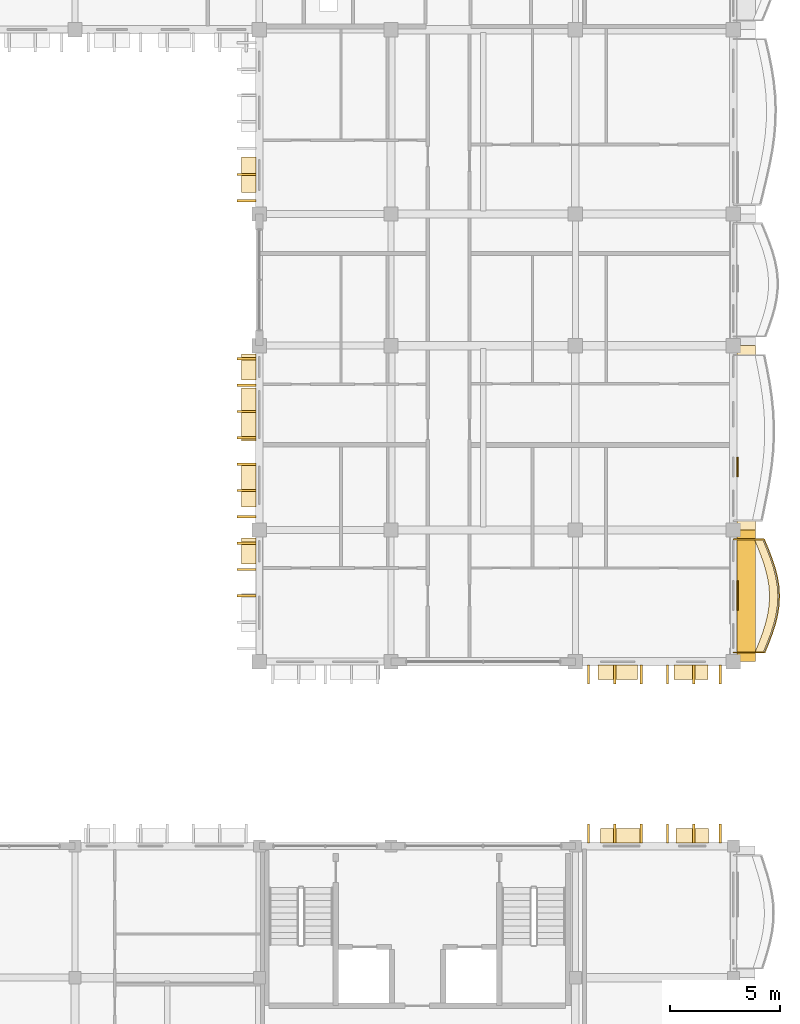
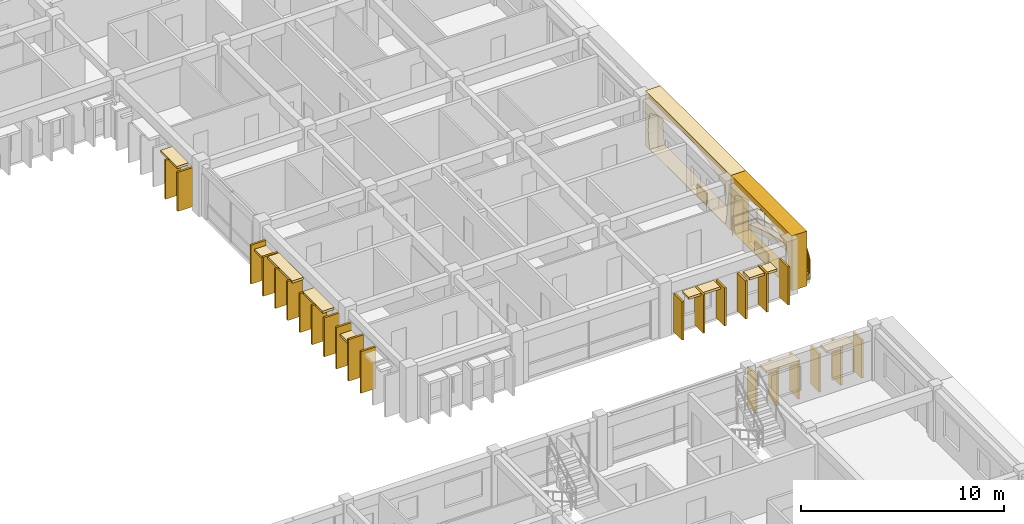
# One storey, part 74 of 79: 38 coverings, 1 railing.
"""IFC4 building model written with IfcOpenShell, lengths in metres."""

from ifc_helpers import new_model, si_unit, direction, frame, origin, origin_2d, place, context, subcontext, project, spatial, polyline, rectangle, outline, extrude, material, layer, layer_set, type_object, element, save


model = new_model("IFC4")

# Units and contexts
model_context = context("Model", 3, precision=1e-05, world=origin(), true_north=direction((0.0, 1.0)))
body_context = subcontext(model_context, "Body", "Model", "MODEL_VIEW")
ifc_project = project(units=[si_unit("LENGTHUNIT", "METRE"), si_unit("AREAUNIT", "SQUARE_METRE"), si_unit("VOLUMEUNIT", "CUBIC_METRE"), si_unit("PLANEANGLEUNIT", "RADIAN"), si_unit("MASSUNIT", "GRAM", prefix="KILO"), si_unit("THERMODYNAMICTEMPERATUREUNIT", "KELVIN")], contexts=[model_context])

# Site, building, storey
site_placement = place(None, origin())
site = spatial("IfcSite", under=ifc_project, at=site_placement, CompositionType="ELEMENT")
building_placement = place(site_placement, origin())
building = spatial("IfcBuilding", under=site, at=building_placement, Name="Thalorik Housing Commons", CompositionType="ELEMENT")
storey_placement = place(building_placement, frame((0.0, 0.0, 11.39990234375)))
storey = spatial("IfcBuildingStorey", under=building, at=storey_placement, Name="L03", CompositionType="ELEMENT", Elevation=11.39990234375)

# Coverings
ifc_material_1 = material(Name="Cobalt blue glazed ceramic facade tile panel", Category="masonry")
ifc_layer_1 = layer(ifc_material_1, 0.06005859375, Name="Cobalt blue glazed ceramic facade tile panel", Category="masonry")
ifc_layer_set_1 = layer_set([ifc_layer_1], Name="Cobalt blue glazed ceramic facade tile panel")
covering_type_1 = type_object("IfcCoveringType", Name="ARC-CLD-BLU-60", PredefinedType="CLADDING", material=ifc_layer_set_1)
covering_1_placement = place(storey_placement, frame((174.195068359375, 83.421875, 0.05029296875), z_axis=(0.0, 0.0, 1.0), x_axis=(0.0, 1.0, 0.0)))
element("IfcCovering", 1, at=covering_1_placement, inside=storey, type_object=covering_type_1, Name="L03 De Stijl Recessed Window Spandrel 2001", PredefinedType="CLADDING", context=body_context, shape_type="SweptSolid", body=[
    extrude(rectangle(XDim=1.35009765625, YDim=0.06005859375, at=origin_2d()), origin(), (0.0, 0.0, 1.0), 0.699951171875),
])
ifc_material_2 = material(Name="Precast concrete C40/50", Category="concrete")
ifc_layer_2 = layer(ifc_material_2, 0.85009765625, Name="Precast concrete C40/50", Category="concrete")
ifc_layer_set_2 = layer_set([ifc_layer_2], Name="Precast concrete C40/50")
covering_type_2 = type_object("IfcCoveringType", Name="ARC-CLD-CUSH-850", PredefinedType="CLADDING", material=ifc_layer_set_2)
covering_2_placement = place(storey_placement, frame((174.5849609375, 83.39990234375, 0.0), z_axis=(0.0, 0.0, 1.0), x_axis=(0.0, 1.0, 0.0)))
element("IfcCovering", 2, at=covering_2_placement, inside=storey, type_object=covering_type_2, Name="L03 White Precast Curved Cushion Bay Frame 2000", PredefinedType="CLADDING", context=body_context, shape_type="SweptSolid", body=[
    extrude(outline(polyline([(-3.0, 0.0), (3.0, 0.0), (3.0, 3.300048828125), (-3.0, 3.300048828125), (-3.0, 0.0)]), holes=[polyline([(2.56689453125, 0.02490234375), (2.658203125, 0.415771484375), (2.713134765625, 0.806640625), (2.7314453125, 1.197509765625), (2.713134765625, 1.58837890625), (2.658203125, 1.979248046875), (2.56689453125, 2.3701171875), (2.150390625, 2.573974609375), (1.73388671875, 2.734130859375), (1.317626953125, 2.864013671875), (0.901123046875, 2.960205078125), (0.48486328125, 3.02001953125), (0.068359375, 3.0400390625), (-0.347900390625, 3.02001953125), (-0.764404296875, 2.960205078125), (-1.180908203125, 2.864013671875), (-1.59716796875, 2.734130859375), (-2.013671875, 2.573974609375), (-2.429931640625, 2.3701171875), (-2.55029296875, 1.979248046875), (-2.62255859375, 1.58837890625), (-2.646484375, 1.197509765625), (-2.62255859375, 0.806640625), (-2.55029296875, 0.415771484375), (-2.429931640625, 0.02490234375), (2.56689453125, 0.02490234375)])]), frame((0.0, 0.425048828125, 0.0), z_axis=(0.0, -1.0, 0.0), x_axis=(1.0, 0.0, 0.0)), (0.0, 0.0, 1.0), 0.85009765625),
])
covering_3_placement = place(storey_placement, frame((174.5849609375, 90.60009765625, 0.0), z_axis=(0.0, 0.0, 1.0), x_axis=(0.0, 1.0, 0.0)))
element("IfcCovering", 3, at=covering_3_placement, inside=storey, type_object=covering_type_2, Name="L03 White Precast Curved Cushion Bay Frame 2002", PredefinedType="CLADDING", context=body_context, shape_type="SweptSolid", body=[
    extrude(outline(polyline([(-4.199951171875, 0.0), (4.199951171875, 0.0), (4.199951171875, 3.300048828125), (-4.199951171875, 3.300048828125), (-4.199951171875, 0.0)]), holes=[polyline([(3.7626953125, 0.02490234375), (3.85498046875, 0.387451171875), (3.910400390625, 0.75), (3.928955078125, 1.112548828125), (3.910400390625, 1.47509765625), (3.85498046875, 1.83740234375), (3.7626953125, 2.199951171875), (3.146728515625, 2.455810546875), (2.53076171875, 2.656494140625), (1.91455078125, 2.819091796875), (1.298583984375, 2.940185546875), (0.6826171875, 3.014892578125), (0.06640625, 3.0400390625), (-0.5498046875, 3.014892578125), (-1.165771484375, 2.940185546875), (-1.78173828125, 2.819091796875), (-2.39794921875, 2.656494140625), (-3.013916015625, 2.455810546875), (-3.6298828125, 2.199951171875), (-3.750244140625, 1.83740234375), (-3.822509765625, 1.47509765625), (-3.8466796875, 1.112548828125), (-3.822509765625, 0.75), (-3.750244140625, 0.387451171875), (-3.6298828125, 0.02490234375), (3.7626953125, 0.02490234375)])]), frame((0.0, 0.425048828125, 0.0), z_axis=(0.0, -1.0, 0.0), x_axis=(1.0, 0.0, 0.0)), (0.0, 0.0, 1.0), 0.85009765625),
])
ifc_layer_3 = layer(ifc_material_2, 0.85009765625, Name="Precast concrete C40/50", Category="concrete")
ifc_layer_set_3 = layer_set([ifc_layer_3], Name="Precast concrete C40/50")
covering_type_3 = type_object("IfcCoveringType", Name="ARC-CLD-FIN-850", PredefinedType="CLADDING", material=ifc_layer_set_3)
for number, where, z_axis, x_axis, name in (
    (4, (151.81494140625, 102.60009765625, 0.0400390625), (0.0, 0.0, 1.0), (0.0, -1.0, 0.0), "L03 Courtyard Precast Vertical Brise-Soleil Fin 1963"),
    (5, (151.81494140625, 101.39990234375, 0.0400390625), (0.0, 0.0, 1.0), (0.0, -1.0, 0.0), "L03 Courtyard Precast Vertical Brise-Soleil Fin 1964"),
    (6, (151.81494140625, 94.199951171875, 0.0400390625), (0.0, 0.0, 1.0), (0.0, -1.0, 0.0), "L03 Courtyard Precast Vertical Brise-Soleil Fin 1968"),
    (7, (151.81494140625, 93.0, 0.0400390625), (0.0, 0.0, 1.0), (0.0, -1.0, 0.0), "L03 Courtyard Precast Vertical Brise-Soleil Fin 1969"),
    (8, (151.81494140625, 91.800048828125, 0.0400390625), (0.0, 0.0, 1.0), (0.0, -1.0, 0.0), "L03 Courtyard Precast Vertical Brise-Soleil Fin 1970"),
    (9, (151.81494140625, 90.60009765625, 0.0400390625), (0.0, 0.0, 1.0), (0.0, -1.0, 0.0), "L03 Courtyard Precast Vertical Brise-Soleil Fin 1971"),
    (10, (151.81494140625, 89.39990234375, 0.0400390625), (0.0, 0.0, 1.0), (0.0, -1.0, 0.0), "L03 Courtyard Precast Vertical Brise-Soleil Fin 1972"),
    (11, (151.81494140625, 88.199951171875, 0.0400390625), (0.0, 0.0, 1.0), (0.0, -1.0, 0.0), "L03 Courtyard Precast Vertical Brise-Soleil Fin 1973"),
    (12, (151.81494140625, 87.0, 0.0400390625), (0.0, 0.0, 1.0), (0.0, -1.0, 0.0), "L03 Courtyard Precast Vertical Brise-Soleil Fin 1974"),
):
    element("IfcCovering", number, at=place(storey_placement, frame(where, z_axis=z_axis, x_axis=x_axis)), inside=storey, type_object=covering_type_3, Name=name, PredefinedType="CLADDING", context=body_context, shape_type="SweptSolid", body=[
        extrude(rectangle(XDim=0.110107421875, YDim=0.85009765625, at=origin_2d()), origin(), (0.0, 0.0, 1.0), 2.344970703125),
    ])
for number, where, z_axis, x_axis, name in (
    (13, (151.81494140625, 85.800048828125, 0.0400390625), (0.0, 0.0, 1.0), (0.0, -1.0, 0.0), "L03 Courtyard Precast Vertical Brise-Soleil Fin 1978"),
    (14, (151.81494140625, 84.60009765625, 0.0400390625), (0.0, 0.0, 1.0), (0.0, -1.0, 0.0), "L03 Courtyard Precast Vertical Brise-Soleil Fin 1979"),
    (15, (151.81494140625, 83.39990234375, 0.0400390625), (0.0, 0.0, 1.0), (0.0, -1.0, 0.0), "L03 Courtyard Precast Vertical Brise-Soleil Fin 1980"),
):
    element("IfcCovering", number, at=place(storey_placement, frame(where, z_axis=z_axis, x_axis=x_axis)), inside=storey, type_object=covering_type_3, Name=name, PredefinedType="CLADDING", context=body_context, shape_type="SweptSolid", body=[
        extrude(rectangle(XDim=0.110107421875, YDim=0.85009765625, at=origin_2d()), origin(), (0.0, 0.0, 1.0), 2.4951171875),
    ])
for number, where, z_axis, x_axis, name in (
    (16, (167.39990234375, 79.81494140625, 0.0400390625), (0.0, 0.0, 1.0), (1.0, 0.0, 0.0), "L03 Courtyard Precast Vertical Brise-Soleil Fin 1992"),
    (17, (168.60009765625, 79.81494140625, 0.0400390625), (0.0, 0.0, 1.0), (1.0, 0.0, 0.0), "L03 Courtyard Precast Vertical Brise-Soleil Fin 1993"),
    (18, (169.800048828125, 79.81494140625, 0.0400390625), (0.0, 0.0, 1.0), (1.0, 0.0, 0.0), "L03 Courtyard Precast Vertical Brise-Soleil Fin 1994"),
    (19, (171.0, 79.81494140625, 0.0400390625), (0.0, 0.0, 1.0), (1.0, 0.0, 0.0), "L03 Courtyard Precast Vertical Brise-Soleil Fin 1995"),
    (20, (172.199951171875, 79.81494140625, 0.0400390625), (0.0, 0.0, 1.0), (1.0, 0.0, 0.0), "L03 Courtyard Precast Vertical Brise-Soleil Fin 1996"),
    (21, (173.39990234375, 79.81494140625, 0.0400390625), (0.0, 0.0, 1.0), (1.0, 0.0, 0.0), "L03 Courtyard Precast Vertical Brise-Soleil Fin 1997"),
    (22, (173.39990234375, 72.570068359375, 0.0400390625), (0.0, 0.0, 1.0), (-1.0, 0.0, 0.0), "L03 Courtyard Precast Vertical Brise-Soleil Fin 4750"),
    (23, (172.199951171875, 72.570068359375, 0.0400390625), (0.0, 0.0, 1.0), (-1.0, 0.0, 0.0), "L03 Courtyard Precast Vertical Brise-Soleil Fin 4751"),
    (24, (171.0, 72.570068359375, 0.0400390625), (0.0, 0.0, 1.0), (-1.0, 0.0, 0.0), "L03 Courtyard Precast Vertical Brise-Soleil Fin 4752"),
    (25, (169.800048828125, 72.570068359375, 0.0400390625), (0.0, 0.0, 1.0), (-1.0, 0.0, 0.0), "L03 Courtyard Precast Vertical Brise-Soleil Fin 4753"),
    (26, (168.60009765625, 72.570068359375, 0.0400390625), (0.0, 0.0, 1.0), (-1.0, 0.0, 0.0), "L03 Courtyard Precast Vertical Brise-Soleil Fin 4754"),
    (27, (167.39990234375, 72.570068359375, 0.0400390625), (0.0, 0.0, 1.0), (-1.0, 0.0, 0.0), "L03 Courtyard Precast Vertical Brise-Soleil Fin 4755"),
):
    element("IfcCovering", number, at=place(storey_placement, frame(where, z_axis=z_axis, x_axis=x_axis)), inside=storey, type_object=covering_type_3, Name=name, PredefinedType="CLADDING", context=body_context, shape_type="SweptSolid", body=[
        extrude(rectangle(XDim=0.110107421875, YDim=0.85009765625, at=origin_2d()), origin(), (0.0, 0.0, 1.0), 2.294921875),
    ])
ifc_layer_4 = layer(ifc_material_2, 0.64990234375, Name="Precast concrete C40/50", Category="concrete")
ifc_layer_set_4 = layer_set([ifc_layer_4], Name="Precast concrete C40/50")
covering_type_4 = type_object("IfcCoveringType", Name="ARC-CLD-HOOD-650", PredefinedType="CLADDING", material=ifc_layer_set_4)
covering_4_placement = place(storey_placement, frame((151.9150390625, 102.580078125, 2.27001953125), z_axis=(0.0, 0.0, 1.0), x_axis=(0.0, -1.0, 0.0)))
element("IfcCovering", 28, at=covering_4_placement, inside=storey, type_object=covering_type_4, Name="L03 Courtyard Precast Window Sun-Hood 1967", PredefinedType="CLADDING", context=body_context, shape_type="SweptSolid", body=[
    extrude(rectangle(XDim=1.6201171875, YDim=0.64990234375, at=origin_2d()), origin(), (0.0, 0.0, 1.0), 0.139892578125),
])
covering_5_placement = place(storey_placement, frame((151.9150390625, 93.824951171875, 1.93994140625), z_axis=(0.0, 0.0, 1.0), x_axis=(0.0, -1.0, 0.0)))
element("IfcCovering", 29, at=covering_5_placement, inside=storey, type_object=covering_type_4, Name="L03 Courtyard Precast Window Sun-Hood 1975", PredefinedType="CLADDING", context=body_context, shape_type="SweptSolid", body=[
    extrude(rectangle(XDim=1.18994140625, YDim=0.64990234375, at=origin_2d()), origin(), (0.0, 0.0, 1.0), 0.139892578125),
])
covering_6_placement = place(storey_placement, frame((151.9150390625, 91.659912109375, 2.27001953125), z_axis=(0.0, 0.0, 1.0), x_axis=(0.0, -1.0, 0.0)))
element("IfcCovering", 30, at=covering_6_placement, inside=storey, type_object=covering_type_4, Name="L03 Courtyard Precast Window Sun-Hood 1976", PredefinedType="CLADDING", context=body_context, shape_type="SweptSolid", body=[
    extrude(rectangle(XDim=2.419921875, YDim=0.64990234375, at=origin_2d()), origin(), (0.0, 0.0, 1.0), 0.139892578125),
])
covering_7_placement = place(storey_placement, frame((151.9150390625, 88.43505859375, 2.275390625), z_axis=(0.0, 0.0, 1.0), x_axis=(0.0, -1.0, 0.0)))
element("IfcCovering", 31, at=covering_7_placement, inside=storey, type_object=covering_type_4, Name="L03 Courtyard Precast Window Sun-Hood 1977", PredefinedType="CLADDING", context=body_context, shape_type="SweptSolid", body=[
    extrude(rectangle(XDim=1.9599609375, YDim=0.64990234375, at=origin_2d()), origin(), (0.0, 0.0, 1.0), 0.139892578125),
])
covering_8_placement = place(storey_placement, frame((151.9150390625, 85.43994140625, 1.93994140625), z_axis=(0.0, 0.0, 1.0), x_axis=(0.0, -1.0, 0.0)))
element("IfcCovering", 32, at=covering_8_placement, inside=storey, type_object=covering_type_4, Name="L03 Courtyard Precast Window Sun-Hood 1983", PredefinedType="CLADDING", context=body_context, shape_type="SweptSolid", body=[
    extrude(rectangle(XDim=1.18994140625, YDim=0.64990234375, at=origin_2d()), origin(), (0.0, 0.0, 1.0), 0.139892578125),
])
covering_9_placement = place(storey_placement, frame((168.72998046875, 79.9150390625, 2.18994140625), z_axis=(0.0, 0.0, 1.0), x_axis=(1.0, 0.0, 0.0)))
element("IfcCovering", 33, at=covering_9_placement, inside=storey, type_object=covering_type_4, Name="L03 Courtyard Precast Window Sun-Hood 1998", PredefinedType="CLADDING", context=body_context, shape_type="SweptSolid", body=[
    extrude(rectangle(XDim=1.7900390625, YDim=0.64990234375, at=origin_2d()), origin(), (0.0, 0.0, 1.0), 0.139892578125),
])
covering_10_placement = place(storey_placement, frame((172.070068359375, 79.9150390625, 2.14013671875), z_axis=(0.0, 0.0, 1.0), x_axis=(1.0, 0.0, 0.0)))
element("IfcCovering", 34, at=covering_10_placement, inside=storey, type_object=covering_type_4, Name="L03 Courtyard Precast Window Sun-Hood 1999", PredefinedType="CLADDING", context=body_context, shape_type="SweptSolid", body=[
    extrude(rectangle(XDim=1.56005859375, YDim=0.64990234375, at=origin_2d()), origin(), (0.0, 0.0, 1.0), 0.139892578125),
])
covering_11_placement = place(storey_placement, frame((172.12744140625, 72.469970703125, 2.22509765625), z_axis=(0.0, 0.0, 1.0), x_axis=(-1.0, 0.0, 0.0)))
element("IfcCovering", 35, at=covering_11_placement, inside=storey, type_object=covering_type_4, Name="L03 Courtyard Precast Window Sun-Hood 4756", PredefinedType="CLADDING", context=body_context, shape_type="SweptSolid", body=[
    extrude(rectangle(XDim=1.489990234375, YDim=0.64990234375, at=origin_2d()), origin(), (0.0, 0.0, 1.0), 0.139892578125),
])
covering_12_placement = place(storey_placement, frame((168.902587890625, 72.469970703125, 2.22509765625), z_axis=(0.0, 0.0, 1.0), x_axis=(-1.0, 0.0, 0.0)))
element("IfcCovering", 36, at=covering_12_placement, inside=storey, type_object=covering_type_4, Name="L03 Courtyard Precast Window Sun-Hood 4757", PredefinedType="CLADDING", context=body_context, shape_type="SweptSolid", body=[
    extrude(rectangle(XDim=1.919921875, YDim=0.64990234375, at=origin_2d()), origin(), (0.0, 0.0, 1.0), 0.139892578125),
])
ifc_material_3 = material(Name="Mineral ochre architectural terracotta panel", Category="masonry")
ifc_layer_5 = layer(ifc_material_3, 0.06494140625, Name="Mineral ochre architectural terracotta panel", Category="masonry")
ifc_layer_set_5 = layer_set([ifc_layer_5], Name="Mineral ochre architectural terracotta panel")
covering_type_5 = type_object("IfcCoveringType", Name="ARC-CLD-YEL-65", PredefinedType="CLADDING", material=ifc_layer_set_5)
covering_13_placement = place(storey_placement, frame((174.197509765625, 89.27490234375, 0.05029296875), z_axis=(0.0, 0.0, 1.0), x_axis=(0.0, 1.0, 0.0)))
element("IfcCovering", 37, at=covering_13_placement, inside=storey, type_object=covering_type_5, Name="L03 De Stijl Recessed Window Spandrel 2003", PredefinedType="CLADDING", context=body_context, shape_type="SweptSolid", body=[
    extrude(rectangle(XDim=0.89990234375, YDim=0.06494140625, at=origin_2d()), origin(), (0.0, 0.0, 1.0), 0.699951171875),
])
ifc_material_4 = material(Name="Planted vegetated substrate and terracotta trough", Category="masonry")
ifc_layer_6 = layer(ifc_material_4, 0.340087890625, Name="Planted vegetated substrate and terracotta trough", Category="masonry")
ifc_layer_set_6 = layer_set([ifc_layer_6], Name="Planted vegetated substrate and terracotta trough")
covering_type_6 = type_object("IfcCoveringType", Name="ARC-COV-PLANTER", PredefinedType="USERDEFINED", material=ifc_layer_set_6)
covering_14_placement = place(storey_placement, origin())
element("IfcCovering", 38, at=covering_14_placement, inside=storey, type_object=covering_type_6, Name="L03 Balcony Slab-Edge Planted Trough 5447", ObjectType="PLANTER", PredefinedType="USERDEFINED", context=body_context, shape_type="SweptSolid", body=[
    extrude(outline(polyline([(175.36376953125, 80.820068359375), (175.539794921875, 81.25), (175.701904296875, 81.679931640625), (175.83984375, 82.110107421875), (175.944580078125, 82.5400390625), (176.009033203125, 82.969970703125), (176.029052734375, 83.39990234375), (176.003173828125, 83.830078125), (175.93310546875, 84.260009765625), (175.8232421875, 84.68994140625), (175.6806640625, 85.1201171875), (175.5146484375, 85.550048828125), (175.335693359375, 85.97998046875), (174.955810546875, 85.97998046875), (175.134521484375, 85.550048828125), (175.30078125, 85.1201171875), (175.443115234375, 84.68994140625), (175.552978515625, 84.260009765625), (175.623291015625, 83.830078125), (175.64892578125, 83.39990234375), (175.62890625, 82.969970703125), (175.564453125, 82.5400390625), (175.459716796875, 82.110107421875), (175.322021484375, 81.679931640625), (175.15966796875, 81.25), (174.98388671875, 80.820068359375), (175.36376953125, 80.820068359375)])), origin(), (0.0, 0.0, 1.0), 0.340087890625),
])

# Railing
ifc_material_5 = material(Name="Steel S355", Category="steel")
railing_type = type_object("IfcRailingType", Name="ARC-RL-BAL-115", PredefinedType="BALUSTRADE", material=ifc_material_5)
railing_placement = place(storey_placement, frame((174.0, 80.820068359375, 0.0)))
element("IfcRailing", 39, at=railing_placement, inside=storey, type_object=railing_type, Name="L03 Cushion Balcony Guardrail 131", PredefinedType="BALUSTRADE", context=body_context, shape_type="SweptSolid", body=[
    extrude(rectangle(XDim=0.050048828125, YDim=0.050048828125, at=origin_2d()), frame((0.0, 0.0, 1.125), z_axis=(1.0, 0.0, 0.0), x_axis=(0.0, 1.0, 0.0)), (0.0, 0.0, 1.0), 1.433837890625),
    extrude(rectangle(XDim=0.050048828125, YDim=0.050048828125, at=origin_2d()), frame((0.0, 0.0, 0.5498046875), z_axis=(1.0, 0.0, 0.0), x_axis=(0.0, 1.0, 0.0)), (0.0, 0.0, 1.0), 1.433837890625),
    extrude(rectangle(XDim=0.050048828125, YDim=0.050048828125, at=origin_2d()), frame((1.433837890625, 0.0, 1.125), z_axis=(0.378448637558, 0.925622292693, 0.0), x_axis=(-0.925622292693, 0.378448637558, 0.0)), (0.0, 0.0, 1.0), 0.464599609375),
    extrude(rectangle(XDim=0.050048828125, YDim=0.050048828125, at=origin_2d()), frame((1.433837890625, 0.0, 0.5498046875), z_axis=(0.378448637558, 0.925622292693, 0.0), x_axis=(-0.925622292693, 0.378448637558, 0.0)), (0.0, 0.0, 1.0), 0.464599609375),
    extrude(rectangle(XDim=0.050048828125, YDim=0.050048828125, at=origin_2d()), frame((1.609619140625, 0.429931640625, 1.125), z_axis=(0.353276593611, 0.935518919321, 0.0), x_axis=(-0.935518919321, 0.353276593611, 0.0)), (0.0, 0.0, 1.0), 0.45947265625),
    extrude(rectangle(XDim=0.050048828125, YDim=0.050048828125, at=origin_2d()), frame((1.609619140625, 0.429931640625, 0.5498046875), z_axis=(0.353276593611, 0.935518919321, 0.0), x_axis=(-0.935518919321, 0.353276593611, 0.0)), (0.0, 0.0, 1.0), 0.45947265625),
    extrude(rectangle(XDim=0.050048828125, YDim=0.050048828125, at=origin_2d()), frame((1.77197265625, 0.85986328125, 1.125), z_axis=(0.305344342643, 0.952242003073, 0.0), x_axis=(-0.952242003073, 0.305344342643, 0.0)), (0.0, 0.0, 1.0), 0.45166015625),
    extrude(rectangle(XDim=0.050048828125, YDim=0.050048828125, at=origin_2d()), frame((1.77197265625, 0.85986328125, 0.5498046875), z_axis=(0.305344342643, 0.952242003073, 0.0), x_axis=(-0.952242003073, 0.305344342643, 0.0)), (0.0, 0.0, 1.0), 0.45166015625),
    extrude(rectangle(XDim=0.050048828125, YDim=0.050048828125, at=origin_2d()), frame((1.909912109375, 1.2900390625, 1.125), z_axis=(0.236168531023, 0.97171211012, 0.0), x_axis=(-0.97171211012, 0.236168531023, 0.0)), (0.0, 0.0, 1.0), 0.4423828125),
    extrude(rectangle(XDim=0.050048828125, YDim=0.050048828125, at=origin_2d()), frame((1.909912109375, 1.2900390625, 0.5498046875), z_axis=(0.236168531023, 0.97171211012, 0.0), x_axis=(-0.97171211012, 0.236168531023, 0.0)), (0.0, 0.0, 1.0), 0.4423828125),
    extrude(rectangle(XDim=0.050048828125, YDim=0.050048828125, at=origin_2d()), frame((2.014404296875, 1.719970703125, 1.125), z_axis=(0.148807239573, 0.988866222221, 0.0), x_axis=(-0.988866222221, 0.148807239573, 0.0)), (0.0, 0.0, 1.0), 0.434814453125),
    extrude(rectangle(XDim=0.050048828125, YDim=0.050048828125, at=origin_2d()), frame((2.014404296875, 1.719970703125, 0.5498046875), z_axis=(0.148807239573, 0.988866222221, 0.0), x_axis=(-0.988866222221, 0.148807239573, 0.0)), (0.0, 0.0, 1.0), 0.434814453125),
    extrude(rectangle(XDim=0.050048828125, YDim=0.050048828125, at=origin_2d()), frame((2.0791015625, 2.14990234375, 1.125), z_axis=(0.046514052316, 0.998917635712, 0.0), x_axis=(-0.998917635712, 0.046514052316, 0.0)), (0.0, 0.0, 1.0), 0.430419921875),
    extrude(rectangle(XDim=0.050048828125, YDim=0.050048828125, at=origin_2d()), frame((2.0791015625, 2.14990234375, 0.5498046875), z_axis=(0.046514052316, 0.998917635712, 0.0), x_axis=(-0.998917635712, 0.046514052316, 0.0)), (0.0, 0.0, 1.0), 0.430419921875),
    extrude(rectangle(XDim=0.050048828125, YDim=0.050048828125, at=origin_2d()), frame((2.09912109375, 2.579833984375, 1.125), z_axis=(-0.060050344532, 0.998195349679, 0.0), x_axis=(-0.998195349679, -0.060050344532, 0.0)), (0.0, 0.0, 1.0), 0.430908203125),
    extrude(rectangle(XDim=0.050048828125, YDim=0.050048828125, at=origin_2d()), frame((2.09912109375, 2.579833984375, 0.5498046875), z_axis=(-0.060050344532, 0.998195349679, 0.0), x_axis=(-0.998195349679, -0.060050344532, 0.0)), (0.0, 0.0, 1.0), 0.430908203125),
    extrude(rectangle(XDim=0.050048828125, YDim=0.050048828125, at=origin_2d()), frame((2.0732421875, 3.010009765625, 1.125), z_axis=(-0.160853365409, 0.986978315282, 0.0), x_axis=(-0.986978315282, -0.160853365409, 0.0)), (0.0, 0.0, 1.0), 0.435546875),
    extrude(rectangle(XDim=0.050048828125, YDim=0.050048828125, at=origin_2d()), frame((2.0732421875, 3.010009765625, 0.5498046875), z_axis=(-0.160853365409, 0.986978315282, 0.0), x_axis=(-0.986978315282, -0.160853365409, 0.0)), (0.0, 0.0, 1.0), 0.435546875),
    extrude(rectangle(XDim=0.050048828125, YDim=0.050048828125, at=origin_2d()), frame((2.003173828125, 3.43994140625, 1.125), z_axis=(-0.247581052426, 0.96886718516, 0.0), x_axis=(-0.96886718516, -0.247581052426, 0.0)), (0.0, 0.0, 1.0), 0.44384765625),
    extrude(rectangle(XDim=0.050048828125, YDim=0.050048828125, at=origin_2d()), frame((2.003173828125, 3.43994140625, 0.5498046875), z_axis=(-0.247581052426, 0.96886718516, 0.0), x_axis=(-0.96886718516, -0.247581052426, 0.0)), (0.0, 0.0, 1.0), 0.44384765625),
    extrude(rectangle(XDim=0.050048828125, YDim=0.050048828125, at=origin_2d()), frame((1.893310546875, 3.869873046875, 1.125), z_axis=(-0.314611153955, 0.94922063916, 0.0), x_axis=(-0.94922063916, -0.314611153955, 0.0)), (0.0, 0.0, 1.0), 0.453125),
    extrude(rectangle(XDim=0.050048828125, YDim=0.050048828125, at=origin_2d()), frame((1.893310546875, 3.869873046875, 0.5498046875), z_axis=(-0.314611153955, 0.94922063916, 0.0), x_axis=(-0.94922063916, -0.314611153955, 0.0)), (0.0, 0.0, 1.0), 0.453125),
    extrude(rectangle(XDim=0.050048828125, YDim=0.050048828125, at=origin_2d()), frame((1.750732421875, 4.300048828125, 1.125), z_axis=(-0.360221185756, 0.9328669237, 0.0), x_axis=(-0.9328669237, -0.360221185756, 0.0)), (0.0, 0.0, 1.0), 0.4609375),
    extrude(rectangle(XDim=0.050048828125, YDim=0.050048828125, at=origin_2d()), frame((1.750732421875, 4.300048828125, 0.5498046875), z_axis=(-0.360221185756, 0.9328669237, 0.0), x_axis=(-0.9328669237, -0.360221185756, 0.0)), (0.0, 0.0, 1.0), 0.4609375),
    extrude(rectangle(XDim=0.050048828125, YDim=0.050048828125, at=origin_2d()), frame((1.584716796875, 4.72998046875, 1.125), z_axis=(-0.384280331184, 0.923216457319, 0.0), x_axis=(-0.923216457319, -0.384280331184, 0.0)), (0.0, 0.0, 1.0), 0.465576171875),
    extrude(rectangle(XDim=0.050048828125, YDim=0.050048828125, at=origin_2d()), frame((1.584716796875, 4.72998046875, 0.5498046875), z_axis=(-0.384280331184, 0.923216457319, 0.0), x_axis=(-0.923216457319, -0.384280331184, 0.0)), (0.0, 0.0, 1.0), 0.465576171875),
    extrude(rectangle(XDim=0.050048828125, YDim=0.050048828125, at=origin_2d()), frame((1.40576171875, 5.159912109375, 1.125), z_axis=(-1.0, 0.0, 0.0), x_axis=(0.0, -1.0, 0.0)), (0.0, 0.0, 1.0), 1.40576171875),
    extrude(rectangle(XDim=0.050048828125, YDim=0.050048828125, at=origin_2d()), frame((1.40576171875, 5.159912109375, 0.5498046875), z_axis=(-1.0, 0.0, 0.0), x_axis=(0.0, -1.0, 0.0)), (0.0, 0.0, 1.0), 1.40576171875),
    extrude(rectangle(XDim=0.0419921875, YDim=0.0419921875, at=origin_2d()), origin(), (0.0, 0.0, 1.0), 1.099853515625),
    extrude(rectangle(XDim=0.0419921875, YDim=0.0419921875, at=origin_2d()), frame((1.433837890625, 0.0, 0.0)), (0.0, 0.0, 1.0), 1.099853515625),
    extrude(rectangle(XDim=0.0419921875, YDim=0.0419921875, at=origin_2d()), frame((1.609619140625, 0.429931640625, 0.0)), (0.0, 0.0, 1.0), 1.099853515625),
    extrude(rectangle(XDim=0.0419921875, YDim=0.0419921875, at=origin_2d()), frame((1.77197265625, 0.85986328125, 0.0)), (0.0, 0.0, 1.0), 1.099853515625),
    extrude(rectangle(XDim=0.0419921875, YDim=0.0419921875, at=origin_2d()), frame((1.909912109375, 1.2900390625, 0.0)), (0.0, 0.0, 1.0), 1.099853515625),
    extrude(rectangle(XDim=0.0419921875, YDim=0.0419921875, at=origin_2d()), frame((2.014404296875, 1.719970703125, 0.0)), (0.0, 0.0, 1.0), 1.099853515625),
    extrude(rectangle(XDim=0.0419921875, YDim=0.0419921875, at=origin_2d()), frame((2.0791015625, 2.14990234375, 0.0)), (0.0, 0.0, 1.0), 1.099853515625),
    extrude(rectangle(XDim=0.0419921875, YDim=0.0419921875, at=origin_2d()), frame((2.09912109375, 2.579833984375, 0.0)), (0.0, 0.0, 1.0), 1.099853515625),
    extrude(rectangle(XDim=0.0419921875, YDim=0.0419921875, at=origin_2d()), frame((2.0732421875, 3.010009765625, 0.0)), (0.0, 0.0, 1.0), 1.099853515625),
    extrude(rectangle(XDim=0.0419921875, YDim=0.0419921875, at=origin_2d()), frame((2.003173828125, 3.43994140625, 0.0)), (0.0, 0.0, 1.0), 1.099853515625),
    extrude(rectangle(XDim=0.0419921875, YDim=0.0419921875, at=origin_2d()), frame((1.893310546875, 3.869873046875, 0.0)), (0.0, 0.0, 1.0), 1.099853515625),
    extrude(rectangle(XDim=0.0419921875, YDim=0.0419921875, at=origin_2d()), frame((1.750732421875, 4.300048828125, 0.0)), (0.0, 0.0, 1.0), 1.099853515625),
    extrude(rectangle(XDim=0.0419921875, YDim=0.0419921875, at=origin_2d()), frame((1.584716796875, 4.72998046875, 0.0)), (0.0, 0.0, 1.0), 1.099853515625),
    extrude(rectangle(XDim=0.0419921875, YDim=0.0419921875, at=origin_2d()), frame((1.40576171875, 5.159912109375, 0.0)), (0.0, 0.0, 1.0), 1.099853515625),
    extrude(rectangle(XDim=0.0419921875, YDim=0.0419921875, at=origin_2d()), frame((0.0, 5.159912109375, 0.0)), (0.0, 0.0, 1.0), 1.099853515625),
])

save(model, "model.ifc")
